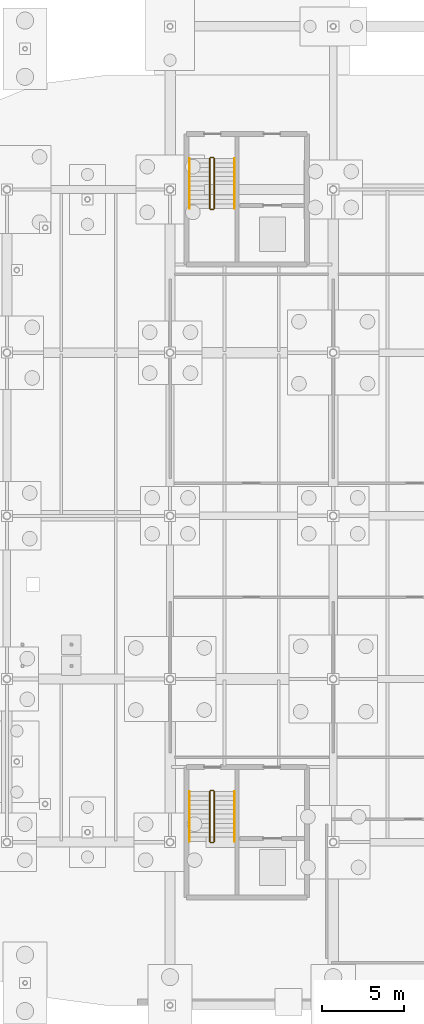
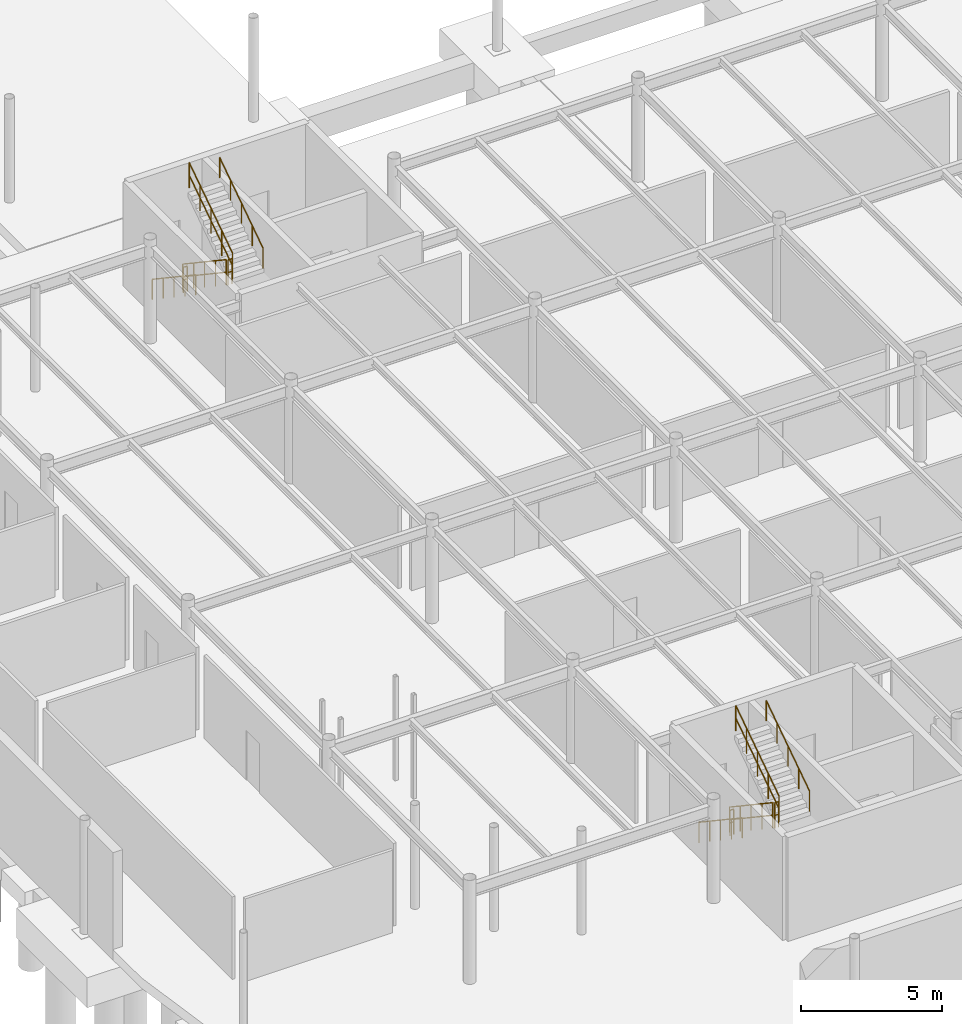
# One storey, part 70 of 75: 12 railings.
"""IFC4 building model written with IfcOpenShell, lengths in metres."""

from ifc_helpers import new_model, si_unit, derived_unit, direction, frame, origin, origin_2d_with_axis, place, context, subcontext, project, spatial, circle, extrude, material, layer, layer_set, type_object, element, save


model = new_model("IFC4")

# Units and contexts
model_context = context("Model", 3, precision=1e-05, world=origin(), true_north=direction((0.0, 1.0)))
body_context = subcontext(model_context, "Body", "Model", "MODEL_VIEW")
ifc_project = project(units=[si_unit("LENGTHUNIT", "METRE"), si_unit("AREAUNIT", "SQUARE_METRE"), si_unit("VOLUMEUNIT", "CUBIC_METRE"), si_unit("PLANEANGLEUNIT", "RADIAN"), si_unit("MASSUNIT", "GRAM", prefix="KILO"), derived_unit("THERMALTRANSMITTANCEUNIT", [(si_unit("POWERUNIT", "WATT"), 1), (si_unit("LENGTHUNIT", "METRE"), -2), (si_unit("THERMODYNAMICTEMPERATUREUNIT", "KELVIN"), -1)])], contexts=[model_context])

# Site, building, storey
site_placement = place(None, origin())
site = spatial("IfcSite", under=ifc_project, at=site_placement, CompositionType="ELEMENT")
building_placement = place(site_placement, origin())
building = spatial("IfcBuilding", under=site, at=building_placement, Name="Cinnabar Yard Market Hall", CompositionType="ELEMENT")
storey_placement = place(building_placement, frame((0.0, 0.0, -4.5)))
storey = spatial("IfcBuildingStorey", under=building, at=storey_placement, Name="B1", CompositionType="ELEMENT", Elevation=-4.5)

# Railings
ifc_material_1 = material(Name="Galvanised steel Grade 300 (300 MPa) guardrail", Category="steel")
ifc_layer_1 = layer(ifc_material_1, 0.06005859375)
ifc_layer_set_1 = layer_set([ifc_layer_1], Name="Galvanised steel Grade 300 (300 MPa) guardrail")
railing_type_1 = type_object("IfcRailingType", Name="RL-G03", PredefinedType="GUARDRAIL", material=ifc_layer_set_1)
railing_1_placement = place(storey_placement, frame((88.43994140625, 27.110107421875, 0.1875)))
element("IfcRailing", 1, at=railing_1_placement, inside=storey, type_object=railing_type_1, Name="B1 ST-C1 stair guard 1", PredefinedType="GUARDRAIL", context=body_context, shape_type="SweptSolid", body=[
    extrude(circle(Radius=0.02392578125, at=origin_2d_with_axis()), frame((0.0, 0.0, 1.09619140625), z_axis=(0.0, -0.830913701846, 0.55640131208), x_axis=(1.0, 0.0, 0.0)), (0.0, 0.0, 1.0), 3.706787109375),
    extrude(circle(Radius=0.02392578125, at=origin_2d_with_axis()), frame((0.0, 0.0, 0.550048828125), z_axis=(0.0, -0.830913701846, 0.55640131208), x_axis=(1.0, 0.0, 0.0)), (0.0, 0.0, 1.0), 3.706787109375),
    extrude(circle(Radius=0.02099609375, at=origin_2d_with_axis()), origin(), (0.0, 0.0, 1.0), 1.072021484375),
    extrude(circle(Radius=0.02099609375, at=origin_2d_with_axis()), frame((0.0, -0.77001953125, 0.515625)), (0.0, 0.0, 1.0), 1.072021484375),
    extrude(circle(Radius=0.02099609375, at=origin_2d_with_axis()), frame((0.0, -1.5400390625, 1.03125)), (0.0, 0.0, 1.0), 1.072021484375),
    extrude(circle(Radius=0.02099609375, at=origin_2d_with_axis()), frame((0.0, -2.31005859375, 1.546875)), (0.0, 0.0, 1.0), 1.072021484375),
    extrude(circle(Radius=0.02099609375, at=origin_2d_with_axis()), frame((0.0, -3.080078125, 2.0625)), (0.0, 0.0, 1.0), 1.072021484375),
])
railing_2_placement = place(storey_placement, frame((88.489990234375, 23.97998046875, 2.25)))
element("IfcRailing", 2, at=railing_2_placement, inside=storey, type_object=railing_type_1, Name="B1 ST-C1 stair guard 2", PredefinedType="GUARDRAIL", context=body_context, shape_type="SweptSolid", body=[
    extrude(circle(Radius=0.02392578125, at=origin_2d_with_axis()), frame((0.0, 0.0, 1.09619140625), z_axis=(1.0, 0.0, 0.0), x_axis=(0.0, 1.0, 0.0)), (0.0, 0.0, 1.0), 0.159912109375),
    extrude(circle(Radius=0.02392578125, at=origin_2d_with_axis()), frame((0.0, 0.0, 0.550048828125), z_axis=(1.0, 0.0, 0.0), x_axis=(0.0, 1.0, 0.0)), (0.0, 0.0, 1.0), 0.159912109375),
    extrude(circle(Radius=0.02099609375, at=origin_2d_with_axis()), origin(), (0.0, 0.0, 1.0), 1.072021484375),
    extrude(circle(Radius=0.02099609375, at=origin_2d_with_axis()), frame((0.159912109375, 0.0, 0.0)), (0.0, 0.0, 1.0), 1.072021484375),
])
railing_3_placement = place(storey_placement, frame((88.699951171875, 24.030029296875, 2.4375)))
element("IfcRailing", 3, at=railing_3_placement, inside=storey, type_object=railing_type_1, Name="B1 ST-C1 stair guard 3", PredefinedType="GUARDRAIL", context=body_context, shape_type="SweptSolid", body=[
    extrude(circle(Radius=0.02392578125, at=origin_2d_with_axis()), frame((0.0, 0.0, 1.09619140625), z_axis=(0.0, 0.830913701846, 0.55640131208), x_axis=(-1.0, 0.0, 0.0)), (0.0, 0.0, 1.0), 3.706787109375),
    extrude(circle(Radius=0.02392578125, at=origin_2d_with_axis()), frame((0.0, 0.0, 0.550048828125), z_axis=(0.0, 0.830913701846, 0.55640131208), x_axis=(-1.0, 0.0, 0.0)), (0.0, 0.0, 1.0), 3.706787109375),
    extrude(circle(Radius=0.02099609375, at=origin_2d_with_axis()), origin(), (0.0, 0.0, 1.0), 1.072021484375),
    extrude(circle(Radius=0.02099609375, at=origin_2d_with_axis()), frame((0.0, 0.77001953125, 0.515625)), (0.0, 0.0, 1.0), 1.072021484375),
    extrude(circle(Radius=0.02099609375, at=origin_2d_with_axis()), frame((0.0, 1.5400390625, 1.03125)), (0.0, 0.0, 1.0), 1.072021484375),
    extrude(circle(Radius=0.02099609375, at=origin_2d_with_axis()), frame((0.0, 2.31005859375, 1.546875)), (0.0, 0.0, 1.0), 1.072021484375),
    extrude(circle(Radius=0.02099609375, at=origin_2d_with_axis()), frame((0.0, 3.080078125, 2.0625)), (0.0, 0.0, 1.0), 1.072021484375),
])
railing_4_placement = place(storey_placement, frame((88.489990234375, 27.159912109375, 0.0)))
element("IfcRailing", 4, at=railing_4_placement, inside=storey, type_object=railing_type_1, Name="B1 ST-C1 stair guard 4", PredefinedType="GUARDRAIL", context=body_context, shape_type="SweptSolid", body=[
    extrude(circle(Radius=0.02392578125, at=origin_2d_with_axis()), frame((0.0, 0.0, 1.09619140625), z_axis=(1.0, 0.0, 0.0), x_axis=(0.0, 1.0, 0.0)), (0.0, 0.0, 1.0), 0.159912109375),
    extrude(circle(Radius=0.02392578125, at=origin_2d_with_axis()), frame((0.0, 0.0, 0.550048828125), z_axis=(1.0, 0.0, 0.0), x_axis=(0.0, 1.0, 0.0)), (0.0, 0.0, 1.0), 0.159912109375),
    extrude(circle(Radius=0.02099609375, at=origin_2d_with_axis()), origin(), (0.0, 0.0, 1.0), 1.072021484375),
    extrude(circle(Radius=0.02099609375, at=origin_2d_with_axis()), frame((0.159912109375, 0.0, 0.0)), (0.0, 0.0, 1.0), 1.072021484375),
])
railing_5_placement = place(storey_placement, frame((88.43994140625, 65.909912109375, 0.1875)))
element("IfcRailing", 5, at=railing_5_placement, inside=storey, type_object=railing_type_1, Name="B1 ST-C3 stair guard 1", PredefinedType="GUARDRAIL", context=body_context, shape_type="SweptSolid", body=[
    extrude(circle(Radius=0.02392578125, at=origin_2d_with_axis()), frame((0.0, 0.0, 1.09619140625), z_axis=(0.0, -0.830893310487, 0.556431762742), x_axis=(1.0, 0.0, 0.0)), (0.0, 0.0, 1.0), 3.70654296875),
    extrude(circle(Radius=0.02392578125, at=origin_2d_with_axis()), frame((0.0, 0.0, 0.550048828125), z_axis=(0.0, -0.830893310487, 0.556431762742), x_axis=(1.0, 0.0, 0.0)), (0.0, 0.0, 1.0), 3.70654296875),
    extrude(circle(Radius=0.02099609375, at=origin_2d_with_axis()), origin(), (0.0, 0.0, 1.0), 1.072021484375),
    extrude(circle(Radius=0.02099609375, at=origin_2d_with_axis()), frame((0.0, -0.77001953125, 0.515625)), (0.0, 0.0, 1.0), 1.072021484375),
    extrude(circle(Radius=0.02099609375, at=origin_2d_with_axis()), frame((0.0, -1.5400390625, 1.03125)), (0.0, 0.0, 1.0), 1.072021484375),
    extrude(circle(Radius=0.02099609375, at=origin_2d_with_axis()), frame((0.0, -2.309814453125, 1.546875)), (0.0, 0.0, 1.0), 1.072021484375),
    extrude(circle(Radius=0.02099609375, at=origin_2d_with_axis()), frame((0.0, -3.079833984375, 2.0625)), (0.0, 0.0, 1.0), 1.072021484375),
])
railing_6_placement = place(storey_placement, frame((88.489990234375, 62.780029296875, 2.25)))
element("IfcRailing", 6, at=railing_6_placement, inside=storey, type_object=railing_type_1, Name="B1 ST-C3 stair guard 2", PredefinedType="GUARDRAIL", context=body_context, shape_type="SweptSolid", body=[
    extrude(circle(Radius=0.02392578125, at=origin_2d_with_axis()), frame((0.0, 0.0, 1.09619140625), z_axis=(1.0, 0.0, 0.0), x_axis=(0.0, 1.0, 0.0)), (0.0, 0.0, 1.0), 0.159912109375),
    extrude(circle(Radius=0.02392578125, at=origin_2d_with_axis()), frame((0.0, 0.0, 0.550048828125), z_axis=(1.0, 0.0, 0.0), x_axis=(0.0, 1.0, 0.0)), (0.0, 0.0, 1.0), 0.159912109375),
    extrude(circle(Radius=0.02099609375, at=origin_2d_with_axis()), origin(), (0.0, 0.0, 1.0), 1.072021484375),
    extrude(circle(Radius=0.02099609375, at=origin_2d_with_axis()), frame((0.159912109375, 0.0, 0.0)), (0.0, 0.0, 1.0), 1.072021484375),
])
railing_7_placement = place(storey_placement, frame((88.699951171875, 62.830078125, 2.4375)))
element("IfcRailing", 7, at=railing_7_placement, inside=storey, type_object=railing_type_1, Name="B1 ST-C3 stair guard 3", PredefinedType="GUARDRAIL", context=body_context, shape_type="SweptSolid", body=[
    extrude(circle(Radius=0.02392578125, at=origin_2d_with_axis()), frame((0.0, 0.0, 1.09619140625), z_axis=(0.0, 0.830893310487, 0.556431762742), x_axis=(-1.0, 0.0, 0.0)), (0.0, 0.0, 1.0), 3.70654296875),
    extrude(circle(Radius=0.02392578125, at=origin_2d_with_axis()), frame((0.0, 0.0, 0.550048828125), z_axis=(0.0, 0.830893310487, 0.556431762742), x_axis=(-1.0, 0.0, 0.0)), (0.0, 0.0, 1.0), 3.70654296875),
    extrude(circle(Radius=0.02099609375, at=origin_2d_with_axis()), origin(), (0.0, 0.0, 1.0), 1.072021484375),
    extrude(circle(Radius=0.02099609375, at=origin_2d_with_axis()), frame((0.0, 0.77001953125, 0.515625)), (0.0, 0.0, 1.0), 1.072021484375),
    extrude(circle(Radius=0.02099609375, at=origin_2d_with_axis()), frame((0.0, 1.5400390625, 1.03125)), (0.0, 0.0, 1.0), 1.072021484375),
    extrude(circle(Radius=0.02099609375, at=origin_2d_with_axis()), frame((0.0, 2.309814453125, 1.546875)), (0.0, 0.0, 1.0), 1.072021484375),
    extrude(circle(Radius=0.02099609375, at=origin_2d_with_axis()), frame((0.0, 3.079833984375, 2.0625)), (0.0, 0.0, 1.0), 1.072021484375),
])
railing_8_placement = place(storey_placement, frame((88.489990234375, 65.9599609375, 0.0)))
element("IfcRailing", 8, at=railing_8_placement, inside=storey, type_object=railing_type_1, Name="B1 ST-C3 stair guard 4", PredefinedType="GUARDRAIL", context=body_context, shape_type="SweptSolid", body=[
    extrude(circle(Radius=0.02392578125, at=origin_2d_with_axis()), frame((0.0, 0.0, 1.09619140625), z_axis=(1.0, 0.0, 0.0), x_axis=(0.0, 1.0, 0.0)), (0.0, 0.0, 1.0), 0.159912109375),
    extrude(circle(Radius=0.02392578125, at=origin_2d_with_axis()), frame((0.0, 0.0, 0.550048828125), z_axis=(1.0, 0.0, 0.0), x_axis=(0.0, 1.0, 0.0)), (0.0, 0.0, 1.0), 0.159912109375),
    extrude(circle(Radius=0.02099609375, at=origin_2d_with_axis()), origin(), (0.0, 0.0, 1.0), 1.072021484375),
    extrude(circle(Radius=0.02099609375, at=origin_2d_with_axis()), frame((0.159912109375, 0.0, 0.0)), (0.0, 0.0, 1.0), 1.072021484375),
])
ifc_material_2 = material(Name="Brushed stainless steel handrail", Category="steel")
ifc_layer_2 = layer(ifc_material_2, 0.050048828125)
ifc_layer_set_2 = layer_set([ifc_layer_2], Name="Brushed stainless steel handrail")
railing_type_2 = type_object("IfcRailingType", Name="RL-HR1", PredefinedType="HANDRAIL", material=ifc_layer_set_2)
railing_9_placement = place(storey_placement, frame((87.18994140625, 27.110107421875, 0.1875)))
element("IfcRailing", 9, at=railing_9_placement, inside=storey, type_object=railing_type_2, Name="B1 ST-C1 stair handrail 1", PredefinedType="HANDRAIL", context=body_context, shape_type="SweptSolid", body=[
    extrude(circle(Radius=0.02392578125, at=origin_2d_with_axis()), frame((0.0, 0.0, 0.8759765625), z_axis=(0.0, -0.830913701846, 0.55640131208), x_axis=(1.0, 0.0, 0.0)), (0.0, 0.0, 1.0), 3.706787109375),
    extrude(circle(Radius=0.02099609375, at=origin_2d_with_axis()), origin(), (0.0, 0.0, 1.0), 0.851806640625),
    extrude(circle(Radius=0.02099609375, at=origin_2d_with_axis()), frame((0.0, -0.77001953125, 0.515625)), (0.0, 0.0, 1.0), 0.851806640625),
    extrude(circle(Radius=0.02099609375, at=origin_2d_with_axis()), frame((0.0, -1.5400390625, 1.03125)), (0.0, 0.0, 1.0), 0.851806640625),
    extrude(circle(Radius=0.02099609375, at=origin_2d_with_axis()), frame((0.0, -2.31005859375, 1.546875)), (0.0, 0.0, 1.0), 0.851806640625),
    extrude(circle(Radius=0.02099609375, at=origin_2d_with_axis()), frame((0.0, -3.080078125, 2.0625)), (0.0, 0.0, 1.0), 0.851806640625),
])
railing_10_placement = place(storey_placement, frame((89.949951171875, 24.030029296875, 2.4375)))
element("IfcRailing", 10, at=railing_10_placement, inside=storey, type_object=railing_type_2, Name="B1 ST-C1 stair handrail 2", PredefinedType="HANDRAIL", context=body_context, shape_type="SweptSolid", body=[
    extrude(circle(Radius=0.02392578125, at=origin_2d_with_axis()), frame((0.0, 0.0, 0.8759765625), z_axis=(0.0, 0.830913701846, 0.55640131208), x_axis=(-1.0, 0.0, 0.0)), (0.0, 0.0, 1.0), 3.706787109375),
    extrude(circle(Radius=0.02099609375, at=origin_2d_with_axis()), origin(), (0.0, 0.0, 1.0), 0.851806640625),
    extrude(circle(Radius=0.02099609375, at=origin_2d_with_axis()), frame((0.0, 0.77001953125, 0.515625)), (0.0, 0.0, 1.0), 0.851806640625),
    extrude(circle(Radius=0.02099609375, at=origin_2d_with_axis()), frame((0.0, 1.5400390625, 1.03125)), (0.0, 0.0, 1.0), 0.851806640625),
    extrude(circle(Radius=0.02099609375, at=origin_2d_with_axis()), frame((0.0, 2.31005859375, 1.546875)), (0.0, 0.0, 1.0), 0.851806640625),
    extrude(circle(Radius=0.02099609375, at=origin_2d_with_axis()), frame((0.0, 3.080078125, 2.0625)), (0.0, 0.0, 1.0), 0.851806640625),
])
railing_11_placement = place(storey_placement, frame((87.18994140625, 65.909912109375, 0.1875)))
element("IfcRailing", 11, at=railing_11_placement, inside=storey, type_object=railing_type_2, Name="B1 ST-C3 stair handrail 1", PredefinedType="HANDRAIL", context=body_context, shape_type="SweptSolid", body=[
    extrude(circle(Radius=0.02392578125, at=origin_2d_with_axis()), frame((0.0, 0.0, 0.8759765625), z_axis=(0.0, -0.830893310487, 0.556431762742), x_axis=(1.0, 0.0, 0.0)), (0.0, 0.0, 1.0), 3.70654296875),
    extrude(circle(Radius=0.02099609375, at=origin_2d_with_axis()), origin(), (0.0, 0.0, 1.0), 0.851806640625),
    extrude(circle(Radius=0.02099609375, at=origin_2d_with_axis()), frame((0.0, -0.77001953125, 0.515625)), (0.0, 0.0, 1.0), 0.851806640625),
    extrude(circle(Radius=0.02099609375, at=origin_2d_with_axis()), frame((0.0, -1.5400390625, 1.03125)), (0.0, 0.0, 1.0), 0.851806640625),
    extrude(circle(Radius=0.02099609375, at=origin_2d_with_axis()), frame((0.0, -2.309814453125, 1.546875)), (0.0, 0.0, 1.0), 0.851806640625),
    extrude(circle(Radius=0.02099609375, at=origin_2d_with_axis()), frame((0.0, -3.079833984375, 2.0625)), (0.0, 0.0, 1.0), 0.851806640625),
])
railing_12_placement = place(storey_placement, frame((89.949951171875, 62.830078125, 2.4375)))
element("IfcRailing", 12, at=railing_12_placement, inside=storey, type_object=railing_type_2, Name="B1 ST-C3 stair handrail 2", PredefinedType="HANDRAIL", context=body_context, shape_type="SweptSolid", body=[
    extrude(circle(Radius=0.02392578125, at=origin_2d_with_axis()), frame((0.0, 0.0, 0.8759765625), z_axis=(0.0, 0.830893310487, 0.556431762742), x_axis=(-1.0, 0.0, 0.0)), (0.0, 0.0, 1.0), 3.70654296875),
    extrude(circle(Radius=0.02099609375, at=origin_2d_with_axis()), origin(), (0.0, 0.0, 1.0), 0.851806640625),
    extrude(circle(Radius=0.02099609375, at=origin_2d_with_axis()), frame((0.0, 0.77001953125, 0.515625)), (0.0, 0.0, 1.0), 0.851806640625),
    extrude(circle(Radius=0.02099609375, at=origin_2d_with_axis()), frame((0.0, 1.5400390625, 1.03125)), (0.0, 0.0, 1.0), 0.851806640625),
    extrude(circle(Radius=0.02099609375, at=origin_2d_with_axis()), frame((0.0, 2.309814453125, 1.546875)), (0.0, 0.0, 1.0), 0.851806640625),
    extrude(circle(Radius=0.02099609375, at=origin_2d_with_axis()), frame((0.0, 3.079833984375, 2.0625)), (0.0, 0.0, 1.0), 0.851806640625),
])

save(model, "model.ifc")
